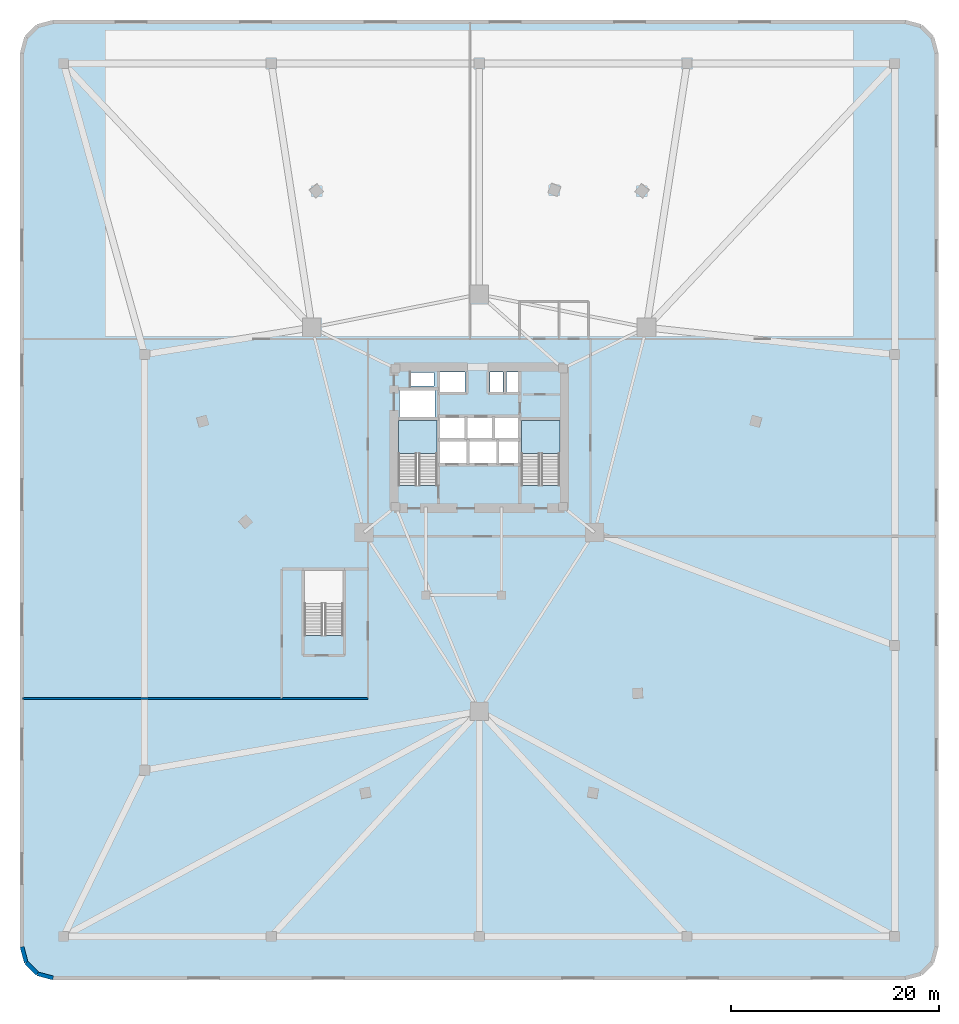
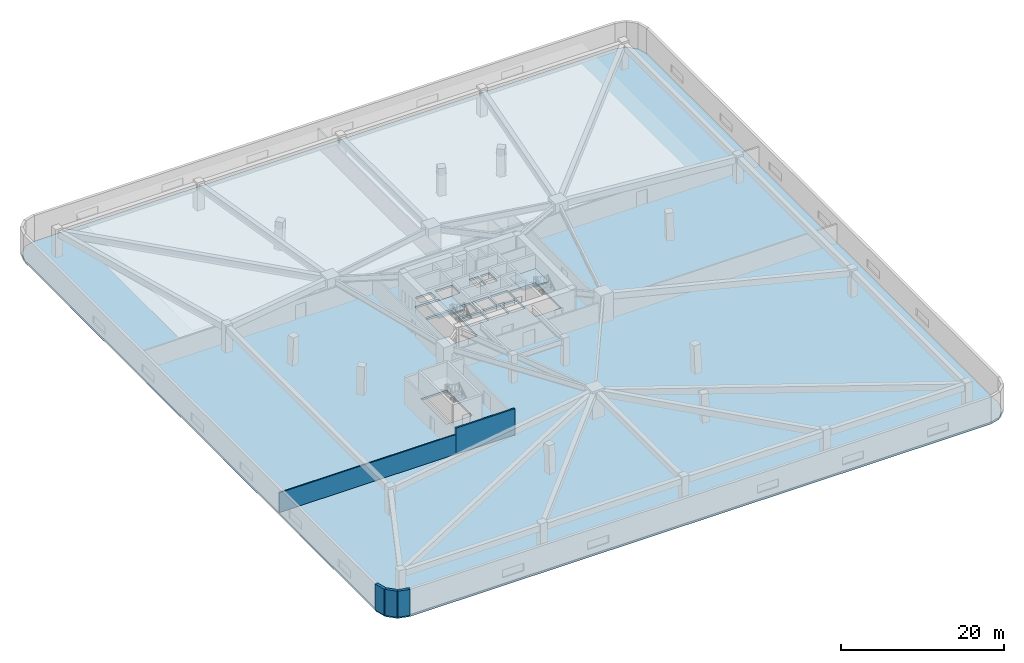
# One storey, part 2 of 10: 5 walls, 3 slabs, 2 elements without a shape of their own.
"""IFC4 building model written with IfcOpenShell, lengths in metres."""

from ifc_helpers import new_model, si_unit, direction, frame, frame_2d, origin, place, context, subcontext, project, spatial, polyline, rectangle, outline, extrude, material, layer, layer_set, type_object, element, aggregate, save


model = new_model("IFC4")

# Units and contexts
model_context = context("Model", 3, precision=1e-05, world=origin(), true_north=direction((0.0, 1.0)))
body_context = subcontext(model_context, "Body", "Model", "MODEL_VIEW")
ifc_project = project(units=[si_unit("LENGTHUNIT", "METRE"), si_unit("AREAUNIT", "SQUARE_METRE"), si_unit("VOLUMEUNIT", "CUBIC_METRE"), si_unit("PLANEANGLEUNIT", "RADIAN"), si_unit("MASSUNIT", "GRAM", prefix="KILO")], contexts=[model_context])

# Site, building, storey
site_placement = place(None, origin())
site = spatial("IfcSite", under=ifc_project, at=site_placement, CompositionType="ELEMENT")
building_placement = place(site_placement, origin())
building = spatial("IfcBuilding", under=site, at=building_placement, Name="Talyreon Biosciences Tower", CompositionType="ELEMENT")
storey_placement = place(building_placement, frame((0.0, 0.0, 14.39990234375)))
storey = spatial("IfcBuildingStorey", under=building, at=storey_placement, Name="L03", CompositionType="ELEMENT", Elevation=14.39990234375)

# Slab
ifc_material_1 = material(Name="Concrete C40/50", Category="concrete")
ifc_layer_1 = layer(ifc_material_1, 0.300048828125)
ifc_layer_set_1 = layer_set([ifc_layer_1], Name="Concrete C40/50")
slab_type_1 = type_object("IfcSlabType", Name="PodiumFloorSlab_300", PredefinedType="FLOOR", material=ifc_layer_set_1)
slab_1_placement = place(storey_placement, frame((0.0, 0.0, -0.2998046875)))
element("IfcSlab", 1, at=slab_1_placement, inside=storey, type_object=slab_type_1, Name="L03 Structural Floor Slab", PredefinedType="FLOOR", context=body_context, shape_type="SweptSolid", body=[
    extrude(outline(polyline([(107.0, 16.0), (25.0, 16.0), (23.5, 16.40185546875), (22.40185546875, 17.5), (22.0, 19.0), (22.0, 105.0), (22.40185546875, 106.5), (23.5, 107.59814453125), (25.0, 108.0), (107.0, 108.0), (108.5, 107.59814453125), (109.59814453125, 106.5), (110.0, 105.0), (110.0, 19.0), (109.59814453125, 17.5), (108.5, 16.40185546875), (107.0, 16.0)]), holes=[polyline([(52.8798828125, 55.199951171875), (52.8798828125, 48.9580078125), (49.199951171875, 48.9580078125), (49.199951171875, 55.199951171875), (52.8798828125, 55.199951171875)]), polyline([(61.929931640625, 63.407958984375), (58.25, 63.407958984375), (58.25, 69.64990234375), (61.929931640625, 69.64990234375), (61.929931640625, 63.407958984375)]), polyline([(64.800048828125, 65.550048828125), (62.199951171875, 65.550048828125), (62.199951171875, 67.64990234375), (64.800048828125, 67.64990234375), (64.800048828125, 65.550048828125)]), polyline([(64.60009765625, 67.949951171875), (62.199951171875, 67.949951171875), (62.199951171875, 69.949951171875), (64.60009765625, 69.949951171875), (64.60009765625, 67.949951171875)]), polyline([(61.75, 69.97998046875), (58.35009765625, 69.97998046875), (58.35009765625, 72.550048828125), (61.75, 72.550048828125), (61.75, 69.97998046875)]), polyline([(64.64990234375, 72.35009765625), (62.199951171875, 72.35009765625), (62.199951171875, 74.300048828125), (64.64990234375, 74.300048828125), (64.64990234375, 72.35009765625)]), polyline([(61.64990234375, 72.9599609375), (59.39990234375, 72.9599609375), (59.39990234375, 74.25), (61.64990234375, 74.25), (61.64990234375, 72.9599609375)]), polyline([(73.75, 69.64990234375), (73.75, 63.407958984375), (70.070068359375, 63.407958984375), (70.070068359375, 69.64990234375), (73.75, 69.64990234375)]), polyline([(67.64990234375, 65.550048828125), (65.050048828125, 65.550048828125), (65.050048828125, 67.64990234375), (67.64990234375, 67.64990234375), (67.64990234375, 65.550048828125)]), polyline([(69.89990234375, 65.550048828125), (67.89990234375, 65.550048828125), (67.89990234375, 67.64990234375), (69.89990234375, 67.64990234375), (69.89990234375, 65.550048828125)]), polyline([(67.25, 67.949951171875), (64.85009765625, 67.949951171875), (64.85009765625, 69.949951171875), (67.25, 69.949951171875), (67.25, 67.949951171875)]), polyline([(69.89990234375, 67.949951171875), (67.5, 67.949951171875), (67.5, 69.949951171875), (69.89990234375, 69.949951171875), (69.89990234375, 67.949951171875)]), polyline([(68.300048828125, 72.35009765625), (67.050048828125, 72.35009765625), (67.050048828125, 74.300048828125), (68.300048828125, 74.300048828125), (68.300048828125, 72.35009765625)]), polyline([(69.919921875, 72.35009765625), (68.6201171875, 72.35009765625), (68.6201171875, 74.300048828125), (69.919921875, 74.300048828125), (69.919921875, 72.35009765625)])]), origin(), (0.0, 0.0, 1.0), 0.2998046875),
])

# Stair, slab
stair_type = type_object("IfcStairType", Name="DoglegEscapeStair_4200", PredefinedType="HALF_TURN_STAIR", material=ifc_material_1)
stair_1_placement = place(storey_placement, origin())
stair_1 = element("IfcStair", 2, at=stair_1_placement, inside=storey, type_object=stair_type, Name="L03 Core Escape Stair 1", PredefinedType="HALF_TURN_STAIR")
ifc_layer_2 = layer(ifc_material_1, 0.199951171875)
ifc_layer_set_2 = layer_set([ifc_layer_2], Name="Concrete C40/50")
slab_type_2 = type_object("IfcSlabType", Name="StairLandingSlab_200", PredefinedType="LANDING", material=ifc_layer_set_2)
slab_2_placement = place(storey_placement, frame((0.0, 0.0, 1.900146484375)))
slab_2 = element("IfcSlab", 3, at=slab_2_placement, type_object=slab_type_2, Name="ST-1 landing 1", PredefinedType="LANDING", context=body_context, shape_type="SweptSolid", body=[
    extrude(outline(polyline([(61.929931640625, 66.47998046875), (61.929931640625, 69.64990234375), (58.25, 69.64990234375), (58.25, 66.47998046875), (61.929931640625, 66.47998046875)])), origin(), (0.0, 0.0, 1.0), 0.199951171875),
])
aggregate(stair_1, [slab_2])

stair_2_placement = place(storey_placement, origin())
stair_2 = element("IfcStair", 4, at=stair_2_placement, inside=storey, type_object=stair_type, Name="L03 Core Escape Stair 2", PredefinedType="HALF_TURN_STAIR")
slab_3_placement = place(storey_placement, frame((0.0, 0.0, 1.900146484375)))
slab_3 = element("IfcSlab", 5, at=slab_3_placement, type_object=slab_type_2, Name="ST-2 landing 1", PredefinedType="LANDING", context=body_context, shape_type="SweptSolid", body=[
    extrude(outline(polyline([(73.75, 66.47998046875), (73.75, 69.64990234375), (70.070068359375, 69.64990234375), (70.070068359375, 66.47998046875), (73.75, 66.47998046875)])), origin(), (0.0, 0.0, 1.0), 0.199951171875),
])
aggregate(stair_2, [slab_3])

# Walls
ifc_material_2 = material(Name="Gypsum fireboard acoustic stud", Category="gypsum")
ifc_layer_3 = layer(ifc_material_2, 0.219970703125)
ifc_layer_set_3 = layer_set([ifc_layer_3], Name="Gypsum fireboard acoustic stud")
wall_type_1 = type_object("IfcWallType", Name="CorridorRatedPartition_220", PredefinedType="PARTITIONING", material=ifc_layer_set_3)
wall_1_placement = place(storey_placement, frame((47.0, 42.89990234375, 0.0), z_axis=(0.0, 0.0, 1.0), x_axis=(1.0, 0.0, 0.0)))
element("IfcWall", 6, at=wall_1_placement, inside=storey, type_object=wall_type_1, Name="L03 Interior Wall IW-L03-SCORS", PredefinedType="PARTITIONING", context=body_context, shape_type="SweptSolid", body=[
    extrude(rectangle(XDim=8.300048828125, YDim=0.219970703125, at=frame_2d((4.14990234375, 0.0))), origin(), (0.0, 0.0, 1.0), 3.900146484375),
])
ifc_material_3 = material(Name="Gypsum acoustic stud partition", Category="gypsum")
ifc_layer_4 = layer(ifc_material_3, 0.159912109375)
ifc_layer_set_4 = layer_set([ifc_layer_4], Name="Gypsum acoustic stud partition")
wall_type_2 = type_object("IfcWallType", Name="LabSeparationPartition_160", PredefinedType="PARTITIONING", material=ifc_layer_set_4)
wall_2_placement = place(storey_placement, frame((22.0849609375, 42.89990234375, 0.0), z_axis=(0.0, 0.0, 1.0), x_axis=(1.0, 0.0, 0.0)))
element("IfcWall", 7, at=wall_2_placement, inside=storey, type_object=wall_type_2, Name="L03 Interior Wall IW-L03-SWW", PredefinedType="PARTITIONING", context=body_context, shape_type="SweptSolid", body=[
    extrude(rectangle(XDim=24.9150390625, YDim=0.159912109375, at=frame_2d((12.45751953125, 0.0))), origin(), (0.0, 0.0, 1.0), 2.93017578125),
])
ifc_material_4 = material(Name="Precast concrete C45/55", Category="concrete")
ifc_layer_5 = layer(ifc_material_4, 0.3798828125)
ifc_layer_set_5 = layer_set([ifc_layer_5], Name="Precast concrete C45/55")
wall_type_3 = type_object("IfcWallType", Name="PrecastConcretePodiumWall_380", PredefinedType="STANDARD", material=ifc_layer_set_5)
for number, where, z_axis, x_axis, name in (
    (8, (25.0, 16.0, 0.0), (0.0, 0.0, 1.0), (-0.965936824201, 0.258777996848, 0.0), "L03 Podium Concrete Frame Wall 02"),
    (9, (23.5, 16.40185546875, 0.0), (0.0, 0.0, 1.0), (-0.707106781187, 0.707106781187, 0.0), "L03 Podium Concrete Frame Wall 03"),
    (10, (22.40185546875, 17.5, 0.0), (0.0, 0.0, 1.0), (-0.258777996848, 0.965936824201, 0.0), "L03 Podium Concrete Frame Wall 04"),
):
    element("IfcWall", number, at=place(storey_placement, frame(where, z_axis=z_axis, x_axis=x_axis)), inside=storey, type_object=wall_type_3, Name=name, PredefinedType="STANDARD", context=body_context, shape_type="SweptSolid", body=[
        extrude(rectangle(XDim=1.552978515625, YDim=0.3798828125, at=frame_2d((0.7763671875, 0.0))), origin(), (0.0, 0.0, 1.0), 3.900146484375),
    ])

save(model, "model.ifc")
